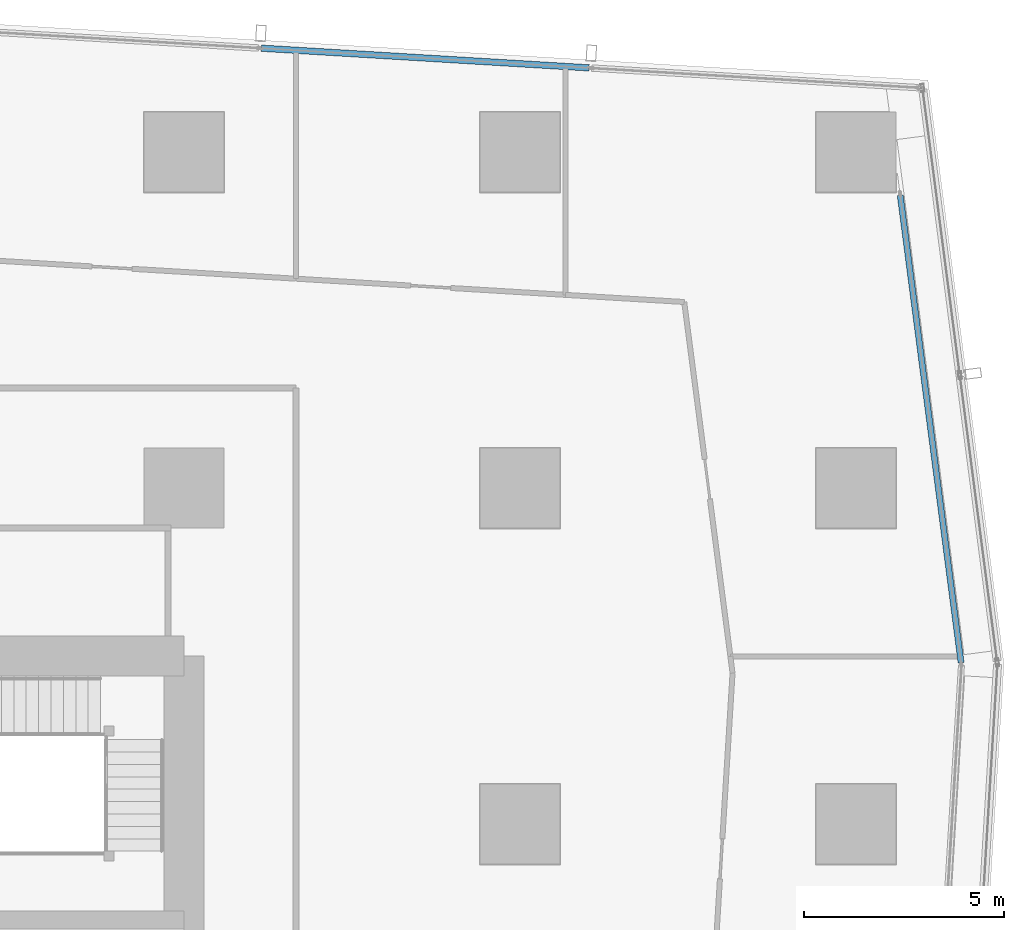
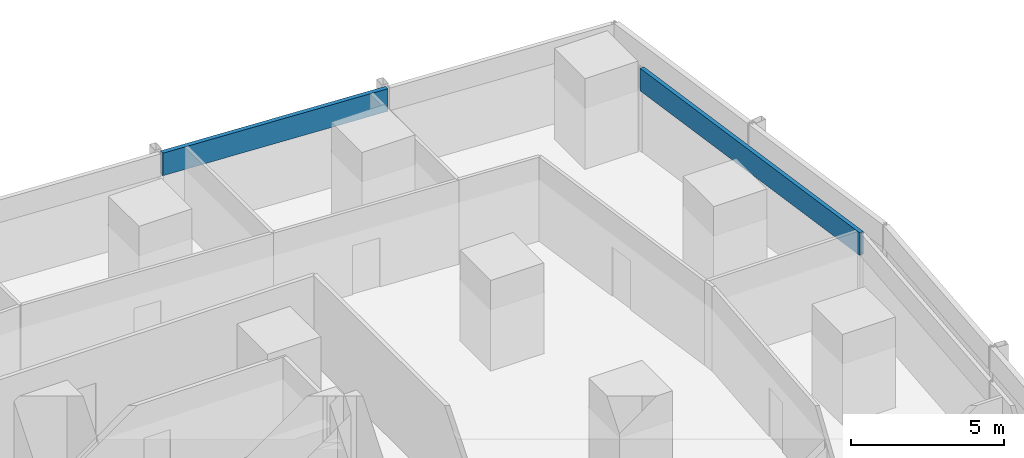
# One storey, part 18 of 36: 2 members, 2 elements without a shape of their own.
"""IFC4 building model written with IfcOpenShell, lengths in metres."""

from ifc_helpers import new_model, si_unit, direction, frame, origin, origin_2d, place, context, subcontext, project, spatial, hollow_rectangle, extrude, material, material_profile, profile_set, type_object, element, aggregate, save


model = new_model("IFC4")

# Units and contexts
model_context = context("Model", 3, precision=1e-05, world=origin(), true_north=direction((0.0, 1.0)))
body_context = subcontext(model_context, "Body", "Model", "MODEL_VIEW")
ifc_project = project(units=[si_unit("LENGTHUNIT", "METRE"), si_unit("AREAUNIT", "SQUARE_METRE"), si_unit("VOLUMEUNIT", "CUBIC_METRE"), si_unit("PLANEANGLEUNIT", "RADIAN"), si_unit("MASSUNIT", "GRAM", prefix="KILO")], contexts=[model_context])

# Site, building, storey
site_placement = place(None, origin())
site = spatial("IfcSite", under=ifc_project, at=site_placement, CompositionType="ELEMENT")
building_placement = place(site_placement, origin())
building = spatial("IfcBuilding", under=site, at=building_placement, Name="Rekha Terrace Tower", CompositionType="ELEMENT")
storey_placement = place(building_placement, frame((0.0, 0.0, 144.050048828125)))
storey = spatial("IfcBuildingStorey", under=building, at=storey_placement, Name="L36", CompositionType="ELEMENT", Elevation=144.050048828125)

# Curtain wall, member
ifc_material_1 = material(Name="Aluminium framing", Category="aluminium")
curtain_wall_type_1 = type_object("IfcCurtainWallType", Name="CW1 double skin inner glazing", PredefinedType="USERDEFINED", material=ifc_material_1)
curtain_wall_1_placement = place(storey_placement, origin())
curtain_wall_1 = element("IfcCurtainWall", 1, at=curtain_wall_1_placement, inside=storey, type_object=curtain_wall_type_1, Name="CW1 double skin inner glazing", ObjectType="DOUBLE SKIN INNER GLAZING", PredefinedType="USERDEFINED")
ifc_material_2 = material(Name="Insulated aluminium spandrel box", Category="aluminium")
ifc_material_profile_1 = material_profile(ifc_material_2, hollow_rectangle(XDim=0.14990234375, YDim=0.89990234375, WallThickness=0.0029296875, at=origin_2d()), Name="AL SPANDREL BOX 150x900")
ifc_profile_set_1 = profile_set([ifc_material_profile_1], Name="Insulated aluminium spandrel box")
member_type_1 = type_object("IfcMemberType", Name="CW1 spandrel transom 150 x 900", PredefinedType="USERDEFINED", material=ifc_profile_set_1)
member_1_placement = place(storey_placement, frame((69.827392578125, 46.0361328125, 3.050048828125), z_axis=(-0.129124958583, 0.991628330107, 0.0), x_axis=(-0.991628330107, -0.129124958583, 0.0)))
member_1 = element("IfcMember", 2, at=member_1_placement, type_object=member_type_1, Name="CW1 spandrel transom 1", ObjectType="TRANSOM", PredefinedType="USERDEFINED", context=body_context, shape_type="SweptSolid", body=[
    extrude(hollow_rectangle(XDim=0.14990234375, YDim=0.89990234375, WallThickness=0.0029296875, at=origin_2d()), origin(), (0.0, 0.0, 1.0), 11.79052734375),
])
aggregate(curtain_wall_1, [member_1])

curtain_wall_type_2 = type_object("IfcCurtainWallType", Name="CW3 north unitised glazing", PredefinedType="USERDEFINED", material=ifc_material_1)
curtain_wall_2_placement = place(storey_placement, origin())
curtain_wall_2 = element("IfcCurtainWall", 3, at=curtain_wall_2_placement, inside=storey, type_object=curtain_wall_type_2, Name="CW3 unitised curtain wall", ObjectType="UNITISED CURTAIN WALL", PredefinedType="USERDEFINED")
ifc_material_profile_2 = material_profile(ifc_material_2, hollow_rectangle(XDim=0.159912109375, YDim=0.89990234375, WallThickness=0.0029296875, at=origin_2d()), Name="AL SPANDREL BOX 160x900")
ifc_profile_set_2 = profile_set([ifc_material_profile_2], Name="Insulated aluminium spandrel box")
member_type_2 = type_object("IfcMemberType", Name="CW3 spandrel transom 160 x 900", PredefinedType="USERDEFINED", material=ifc_profile_set_2)
member_2_placement = place(storey_placement, frame((60.5263671875, 60.908935546875, 3.050048828125), z_axis=(-0.998199826332, 0.059975884418, 0.0), x_axis=(-0.059975884418, -0.998199826332, 0.0)))
member_2 = element("IfcMember", 4, at=member_2_placement, type_object=member_type_2, Name="CW3 spandrel transom 2", ObjectType="TRANSOM", PredefinedType="USERDEFINED", context=body_context, shape_type="SweptSolid", body=[
    extrude(hollow_rectangle(XDim=0.159912109375, YDim=0.89990234375, WallThickness=0.0029296875, at=origin_2d()), origin(), (0.0, 0.0, 1.0), 8.20654296875),
])
aggregate(curtain_wall_2, [member_2])

save(model, "model.ifc")
